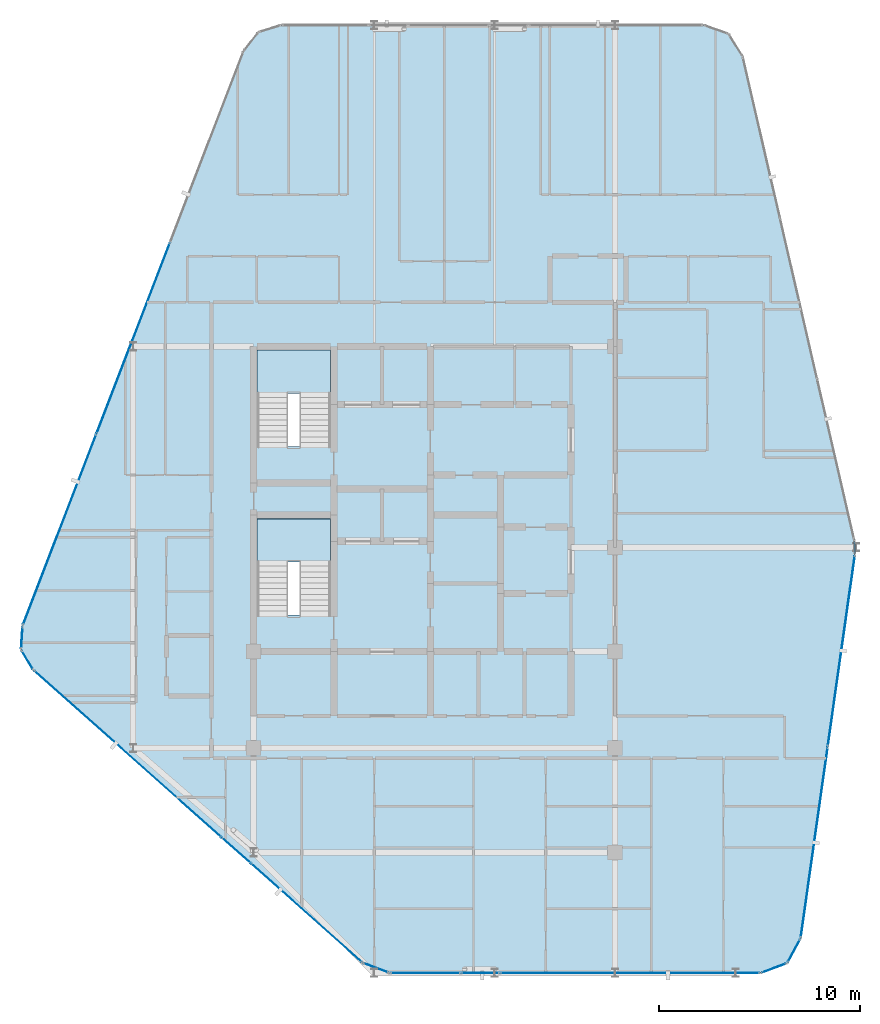
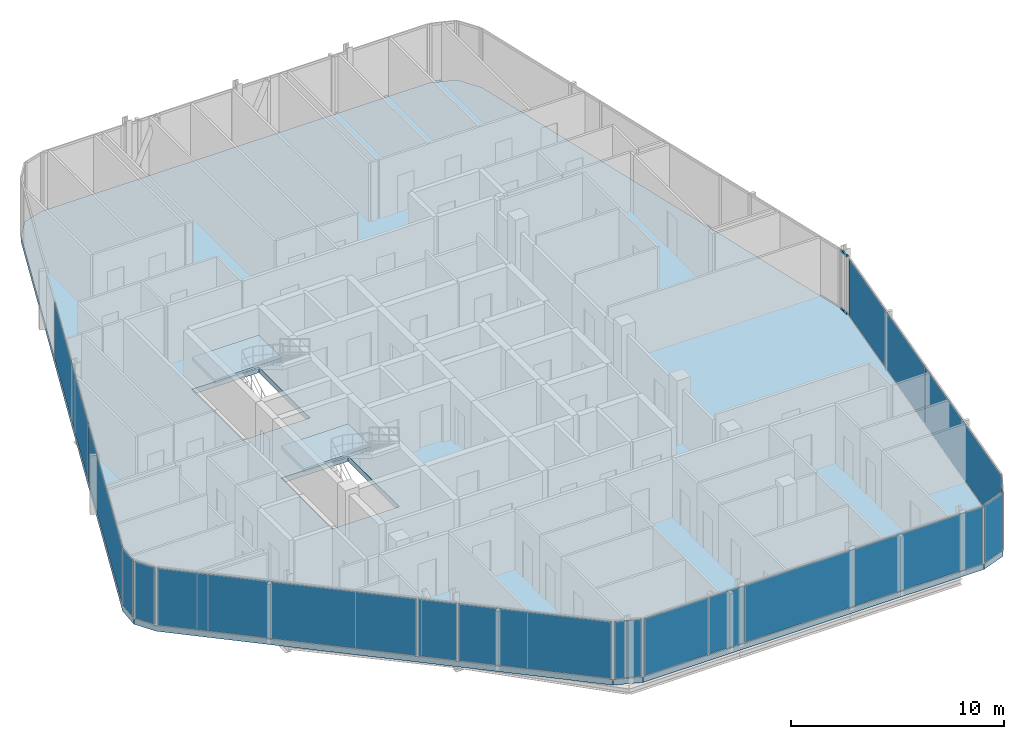
# One storey, part 20 of 28: 15 plates, 3 slabs, 2 members, 16 elements without a shape of their own.
"""IFC4 building model written with IfcOpenShell, lengths in metres."""

from ifc_helpers import new_model, si_unit, direction, frame, origin, origin_2d, place, context, subcontext, project, spatial, polyline, rectangle, hollow_rectangle, outline, extrude, material, layer, layer_set, material_profile, profile_set, type_object, element, aggregate, save


model = new_model("IFC4")

# Units and contexts
model_context = context("Model", 3, precision=1e-05, world=origin(), true_north=direction((0.0, 1.0)))
body_context = subcontext(model_context, "Body", "Model", "MODEL_VIEW")
ifc_project = project(units=[si_unit("LENGTHUNIT", "METRE"), si_unit("AREAUNIT", "SQUARE_METRE"), si_unit("VOLUMEUNIT", "CUBIC_METRE"), si_unit("PLANEANGLEUNIT", "RADIAN"), si_unit("MASSUNIT", "GRAM", prefix="KILO")], contexts=[model_context])

# Site, building, storey
site_placement = place(None, origin())
site = spatial("IfcSite", under=ifc_project, at=site_placement, CompositionType="ELEMENT")
building_placement = place(site_placement, origin())
building = spatial("IfcBuilding", under=site, at=building_placement, Name="Keshet Zoharim Tower", CompositionType="ELEMENT")
storey_placement = place(building_placement, frame((0.0, 0.0, 251.0)))
storey = spatial("IfcBuildingStorey", under=building, at=storey_placement, Name="L62", CompositionType="ELEMENT", Elevation=251.0)

# Curtain wall, members
ifc_material_1 = material(Name="Aluminium 6063-T6", Category="aluminium")
ifc_layer_1 = layer(ifc_material_1, 0.260009765625)
ifc_layer_set_1 = layer_set([ifc_layer_1], Name="Aluminium 6063-T6")
curtain_wall_type = type_object("IfcCurtainWallType", Name="CW-SYS-06", PredefinedType="NOTDEFINED", material=ifc_layer_set_1)
curtain_wall_1_placement = place(storey_placement, origin())
curtain_wall_1 = element("IfcCurtainWall", 1, at=curtain_wall_1_placement, inside=storey, type_object=curtain_wall_type, Name="L62 Unitised Curtain Wall 10", PredefinedType="NOTDEFINED")
ifc_material_profile = material_profile(ifc_material_1, hollow_rectangle(XDim=0.074951171875, YDim=0.1201171875, WallThickness=0.00390625, at=origin_2d()), Name="TRN-75x120")
ifc_profile_set = profile_set([ifc_material_profile], Name="Aluminium 6063-T6")
member_type = type_object("IfcMemberType", Name="CWT-T12", PredefinedType="USERDEFINED", material=ifc_profile_set)
member_1_placement = place(storey_placement, frame((44.9189453125, 28.192138671875, 0.034912109375), z_axis=(0.043813905352, -0.99903970977, 0.0), x_axis=(0.99903970977, 0.043813905352, 0.0)))
member_1 = element("IfcMember", 2, at=member_1_placement, type_object=member_type, Name="CW-06 transom 1.1", ObjectType="TRANSOM", PredefinedType="USERDEFINED", context=body_context, shape_type="SweptSolid", body=[
    extrude(hollow_rectangle(XDim=0.074951171875, YDim=0.1201171875, WallThickness=0.00390625, at=origin_2d()), origin(), (0.0, 0.0, 1.0), 0.590576171875),
])
member_2_placement = place(storey_placement, frame((44.9189453125, 28.192138671875, 3.35498046875), z_axis=(0.043813905352, -0.99903970977, 0.0), x_axis=(0.99903970977, 0.043813905352, 0.0)))
member_2 = element("IfcMember", 3, at=member_2_placement, type_object=member_type, Name="CW-06 transom 1.2", ObjectType="TRANSOM", PredefinedType="USERDEFINED", context=body_context, shape_type="SweptSolid", body=[
    extrude(hollow_rectangle(XDim=0.074951171875, YDim=0.1201171875, WallThickness=0.00390625, at=origin_2d()), origin(), (0.0, 0.0, 1.0), 0.590576171875),
])
aggregate(curtain_wall_1, [member_1, member_2])

# Curtain wall, plate
curtain_wall_2_placement = place(storey_placement, origin())
curtain_wall_2 = element("IfcCurtainWall", 4, at=curtain_wall_2_placement, inside=storey, type_object=curtain_wall_type, Name="L62 Unitised Curtain Wall 01", PredefinedType="NOTDEFINED")
ifc_material_2 = material(Name="Insulated Low-E Clear Glass", Category="glass")
ifc_layer_2 = layer(ifc_material_2, 0.028076171875)
ifc_layer_set_2 = layer_set([ifc_layer_2], Name="Insulated Low-E Clear Glass")
plate_type_1 = type_object("IfcPlateType", Name="CWP-03", PredefinedType="CURTAIN_PANEL", material=ifc_layer_set_2)
plate_1_placement = place(storey_placement, frame((3.7275390625, 22.291015625, 0.070068359375), z_axis=(0.0, 0.0, 1.0), x_axis=(-0.515604947933, 0.856826433805, 0.0)))
plate_1 = element("IfcPlate", 5, at=plate_1_placement, type_object=plate_type_1, Name="CW-06 panel 1.1", PredefinedType="CURTAIN_PANEL", context=body_context, shape_type="SweptSolid", body=[
    extrude(rectangle(XDim=1.052734375, YDim=0.028076171875, at=origin_2d()), origin(), (0.0, 0.0, 1.0), 3.25),
])
aggregate(curtain_wall_2, [plate_1])

curtain_wall_3_placement = place(storey_placement, origin())
curtain_wall_3 = element("IfcCurtainWall", 6, at=curtain_wall_3_placement, inside=storey, type_object=curtain_wall_type, Name="L62 Unitised Curtain Wall 02", PredefinedType="NOTDEFINED")
plate_2_placement = place(storey_placement, frame((3.45849609375, 23.3974609375, 0.070068359375), z_axis=(0.0, 0.0, 1.0), x_axis=(0.064516859374, 0.997916617186, 0.0)))
plate_2 = element("IfcPlate", 7, at=plate_2_placement, type_object=plate_type_1, Name="CW-06 panel 1.1", PredefinedType="CURTAIN_PANEL", context=body_context, shape_type="SweptSolid", body=[
    extrude(rectangle(XDim=1.053466796875, YDim=0.028076171875, at=origin_2d()), origin(), (0.0, 0.0, 1.0), 3.25),
])
aggregate(curtain_wall_3, [plate_2])

# Curtain wall, plates
curtain_wall_4_placement = place(storey_placement, origin())
curtain_wall_4 = element("IfcCurtainWall", 8, at=curtain_wall_4_placement, inside=storey, type_object=curtain_wall_type, Name="L62 Unitised Curtain Wall 03", PredefinedType="NOTDEFINED")
plate_3_placement = place(storey_placement, frame((5.33837890625, 28.7802734375, 0.070068359375), z_axis=(0.0, 0.0, 1.0), x_axis=(0.358990003907, 0.933341404361, 0.0)))
plate_3 = element("IfcPlate", 9, at=plate_3_placement, type_object=plate_type_1, Name="CW-06 panel 1.1", PredefinedType="CURTAIN_PANEL", context=body_context, shape_type="SweptSolid", body=[
    extrude(rectangle(XDim=10.1181640625, YDim=0.028076171875, at=origin_2d()), origin(), (0.0, 0.0, 1.0), 3.25),
])
plate_4_placement = place(storey_placement, frame((9.001953125, 38.305419921875, 0.070068359375), z_axis=(0.0, 0.0, 1.0), x_axis=(0.358990003907, 0.933341404361, 0.0)))
plate_4 = element("IfcPlate", 10, at=plate_4_placement, type_object=plate_type_1, Name="CW-06 panel 2.1", PredefinedType="CURTAIN_PANEL", context=body_context, shape_type="SweptSolid", body=[
    extrude(rectangle(XDim=10.153076171875, YDim=0.028076171875, at=origin_2d()), origin(), (0.0, 0.0, 1.0), 3.25),
])
aggregate(curtain_wall_4, [plate_3, plate_4])

curtain_wall_5_placement = place(storey_placement, origin())
curtain_wall_5 = element("IfcCurtainWall", 11, at=curtain_wall_5_placement, inside=storey, type_object=curtain_wall_type, Name="L62 Unitised Curtain Wall 11", PredefinedType="NOTDEFINED")
plate_5_placement = place(storey_placement, frame((44.269287109375, 22.736572265625, 0.070068359375), z_axis=(0.0, 0.0, 1.0), x_axis=(-0.140137464177, -0.990132057422, 0.0)))
plate_5 = element("IfcPlate", 12, at=plate_5_placement, type_object=plate_type_1, Name="CW-06 panel 1.1", PredefinedType="CURTAIN_PANEL", context=body_context, shape_type="SweptSolid", body=[
    extrude(rectangle(XDim=9.546142578125, YDim=0.028076171875, at=origin_2d()), origin(), (0.0, 0.0, 1.0), 3.25),
])
plate_6_placement = place(storey_placement, frame((42.921630859375, 13.21533203125, 0.070068359375), z_axis=(0.0, 0.0, 1.0), x_axis=(-0.140137464177, -0.990132057422, 0.0)))
plate_6 = element("IfcPlate", 13, at=plate_6_placement, type_object=plate_type_1, Name="CW-06 panel 2.1", PredefinedType="CURTAIN_PANEL", context=body_context, shape_type="SweptSolid", body=[
    extrude(rectangle(XDim=9.546142578125, YDim=0.028076171875, at=origin_2d()), origin(), (0.0, 0.0, 1.0), 3.25),
])
aggregate(curtain_wall_5, [plate_5, plate_6])

# Curtain wall, plate
curtain_wall_6_placement = place(storey_placement, origin())
curtain_wall_6 = element("IfcCurtainWall", 14, at=curtain_wall_6_placement, inside=storey, type_object=curtain_wall_type, Name="L62 Unitised Curtain Wall 12", PredefinedType="NOTDEFINED")
plate_7_placement = place(storey_placement, frame((41.908447265625, 7.804931640625, 0.070068359375), z_axis=(0.0, 0.0, 1.0), x_axis=(-0.477800955789, -0.878468125004, 0.0)))
plate_7 = element("IfcPlate", 15, at=plate_7_placement, type_object=plate_type_1, Name="CW-06 panel 1.1", PredefinedType="CURTAIN_PANEL", context=body_context, shape_type="SweptSolid", body=[
    extrude(rectangle(XDim=1.26025390625, YDim=0.028076171875, at=origin_2d()), origin(), (0.0, 0.0, 1.0), 3.25),
])
aggregate(curtain_wall_6, [plate_7])

curtain_wall_7_placement = place(storey_placement, origin())
curtain_wall_7 = element("IfcCurtainWall", 16, at=curtain_wall_7_placement, inside=storey, type_object=curtain_wall_type, Name="L62 Unitised Curtain Wall 13", PredefinedType="NOTDEFINED")
plate_8_placement = place(storey_placement, frame((40.91845703125, 6.945068359375, 0.070068359375), z_axis=(0.0, 0.0, 1.0), x_axis=(-0.936710343781, -0.350105315376, 0.0)))
plate_8 = element("IfcPlate", 17, at=plate_8_placement, type_object=plate_type_1, Name="CW-06 panel 1.1", PredefinedType="CURTAIN_PANEL", context=body_context, shape_type="SweptSolid", body=[
    extrude(rectangle(XDim=1.259521484375, YDim=0.028076171875, at=origin_2d()), origin(), (0.0, 0.0, 1.0), 3.25),
])
aggregate(curtain_wall_7, [plate_8])

curtain_wall_8_placement = place(storey_placement, origin())
curtain_wall_8 = element("IfcCurtainWall", 18, at=curtain_wall_8_placement, inside=storey, type_object=curtain_wall_type, Name="L62 Unitised Curtain Wall 14", PredefinedType="NOTDEFINED")
plate_9_placement = place(storey_placement, frame((33.743896484375, 6.699951171875, 0.070068359375), z_axis=(0.0, 0.0, 1.0), x_axis=(-1.0, 0.0, 0.0)))
plate_9 = element("IfcPlate", 19, at=plate_9_placement, type_object=plate_type_1, Name="CW-06 panel 1.1", PredefinedType="CURTAIN_PANEL", context=body_context, shape_type="SweptSolid", body=[
    extrude(rectangle(XDim=12.898193359375, YDim=0.028076171875, at=origin_2d()), origin(), (0.0, 0.0, 1.0), 3.25),
])
aggregate(curtain_wall_8, [plate_9])

curtain_wall_9_placement = place(storey_placement, origin())
curtain_wall_9 = element("IfcCurtainWall", 20, at=curtain_wall_9_placement, inside=storey, type_object=curtain_wall_type, Name="L62 Unitised Curtain Wall 14 Part 3", PredefinedType="NOTDEFINED")
plate_10_placement = place(storey_placement, frame((23.552490234375, 6.699951171875, 0.070068359375), z_axis=(0.0, 0.0, 1.0), x_axis=(-1.0, 0.0, 0.0)))
plate_10 = element("IfcPlate", 21, at=plate_10_placement, type_object=plate_type_1, Name="CW-06 panel 1.1", PredefinedType="CURTAIN_PANEL", context=body_context, shape_type="SweptSolid", body=[
    extrude(rectangle(XDim=3.4453125, YDim=0.028076171875, at=origin_2d()), origin(), (0.0, 0.0, 1.0), 3.25),
])
aggregate(curtain_wall_9, [plate_10])

curtain_wall_10_placement = place(storey_placement, origin())
curtain_wall_10 = element("IfcCurtainWall", 22, at=curtain_wall_10_placement, inside=storey, type_object=curtain_wall_type, Name="L62 Unitised Curtain Wall 15", PredefinedType="NOTDEFINED")
plate_11_placement = place(storey_placement, frame((21.095947265625, 6.952392578125, 0.070068359375), z_axis=(0.0, 0.0, 1.0), x_axis=(-0.934699418314, 0.355439161326, 0.0)))
plate_11 = element("IfcPlate", 23, at=plate_11_placement, type_object=plate_type_1, Name="CW-06 panel 1.1", PredefinedType="CURTAIN_PANEL", context=body_context, shape_type="SweptSolid", body=[
    extrude(rectangle(XDim=1.28076171875, YDim=0.028076171875, at=origin_2d()), origin(), (0.0, 0.0, 1.0), 3.25),
])
aggregate(curtain_wall_10, [plate_11])

curtain_wall_11_placement = place(storey_placement, origin())
curtain_wall_11 = element("IfcCurtainWall", 24, at=curtain_wall_11_placement, inside=storey, type_object=curtain_wall_type, Name="L62 Unitised Curtain Wall 16", PredefinedType="NOTDEFINED")
plate_12_placement = place(storey_placement, frame((17.634521484375, 9.691650390625, 0.070068359375), z_axis=(0.0, 0.0, 1.0), x_axis=(-0.747410792699, 0.664362180559, 0.0)))
plate_12 = element("IfcPlate", 25, at=plate_12_placement, type_object=plate_type_1, Name="CW-06 panel 1.1", PredefinedType="CURTAIN_PANEL", context=body_context, shape_type="SweptSolid", body=[
    extrude(rectangle(XDim=7.345947265625, YDim=0.028076171875, at=origin_2d()), origin(), (0.0, 0.0, 1.0), 3.25),
])
aggregate(curtain_wall_11, [plate_12])

curtain_wall_12_placement = place(storey_placement, origin())
curtain_wall_12 = element("IfcCurtainWall", 26, at=curtain_wall_12_placement, inside=storey, type_object=curtain_wall_type, Name="L62 Unitised Curtain Wall 16 Part 3", PredefinedType="NOTDEFINED")
plate_13_placement = place(storey_placement, frame((8.7333984375, 17.603515625, 0.070068359375), z_axis=(0.0, 0.0, 1.0), x_axis=(-0.747409318679, 0.664363838836, 0.0)))
plate_13 = element("IfcPlate", 27, at=plate_13_placement, type_object=plate_type_1, Name="CW-06 panel 1.1", PredefinedType="CURTAIN_PANEL", context=body_context, shape_type="SweptSolid", body=[
    extrude(rectangle(XDim=12.432861328125, YDim=0.028076171875, at=origin_2d()), origin(), (0.0, 0.0, 1.0), 3.25),
])
aggregate(curtain_wall_12, [plate_13])

curtain_wall_13_placement = place(storey_placement, origin())
curtain_wall_13 = element("IfcCurtainWall", 28, at=curtain_wall_13_placement, inside=storey, type_object=curtain_wall_type, Name="L62 Unitised Curtain Wall 14 Part 2", PredefinedType="NOTDEFINED")
ifc_material_3 = material(Name="Insulated Aluminium Spandrel Panel", Category="aluminium")
ifc_layer_3 = layer(ifc_material_3, 0.028076171875)
ifc_layer_set_3 = layer_set([ifc_layer_3], Name="Insulated Aluminium Spandrel Panel")
plate_type_2 = type_object("IfcPlateType", Name="CWP-06", PredefinedType="CURTAIN_PANEL", material=ifc_layer_set_3)
plate_14_placement = place(storey_placement, frame((26.284912109375, 6.699951171875, 0.070068359375), z_axis=(0.0, 0.0, 1.0), x_axis=(-1.0, 0.0, 0.0)))
plate_14 = element("IfcPlate", 29, at=plate_14_placement, type_object=plate_type_2, Name="CW-06 spandrel panel 1.1", PredefinedType="CURTAIN_PANEL", context=body_context, shape_type="SweptSolid", body=[
    extrude(rectangle(XDim=1.879638671875, YDim=0.028076171875, at=origin_2d()), origin(), (0.0, 0.0, 1.0), 3.25),
])
aggregate(curtain_wall_13, [plate_14])

curtain_wall_14_placement = place(storey_placement, origin())
curtain_wall_14 = element("IfcCurtainWall", 30, at=curtain_wall_14_placement, inside=storey, type_object=curtain_wall_type, Name="L62 Unitised Curtain Wall 16 Part 2", PredefinedType="NOTDEFINED")
plate_15_placement = place(storey_placement, frame((14.134521484375, 12.802734375, 0.070068359375), z_axis=(0.0, 0.0, 1.0), x_axis=(-0.747431957629, 0.664338369143, 0.0)))
plate_15 = element("IfcPlate", 31, at=plate_15_placement, type_object=plate_type_2, Name="CW-06 spandrel panel 1.1", PredefinedType="CURTAIN_PANEL", context=body_context, shape_type="SweptSolid", body=[
    extrude(rectangle(XDim=1.879638671875, YDim=0.028076171875, at=origin_2d()), origin(), (0.0, 0.0, 1.0), 3.25),
])
aggregate(curtain_wall_14, [plate_15])

# Stair, slab
ifc_material_4 = material(Name="Concrete C50/60", Category="concrete")
stair_type = type_object("IfcStairType", Name="STR-EXIT-135", PredefinedType="HALF_TURN_STAIR", material=ifc_material_4)
stair_1_placement = place(storey_placement, origin())
stair_1 = element("IfcStair", 32, at=stair_1_placement, inside=storey, type_object=stair_type, Name="L62 Enclosed Exit Stair ST-01", PredefinedType="HALF_TURN_STAIR")
ifc_layer_4 = layer(ifc_material_4, 0.199951171875)
ifc_layer_set_4 = layer_set([ifc_layer_4], Name="Concrete C50/60")
slab_type_1 = type_object("IfcSlabType", Name="SLB-LND-200", PredefinedType="LANDING", material=ifc_layer_set_4)
slab_1_placement = place(storey_placement, frame((0.0, 0.0, 1.64990234375)))
slab_1 = element("IfcSlab", 33, at=slab_1_placement, type_object=slab_type_1, Name="ST-01 landing 1", PredefinedType="LANDING", context=body_context, shape_type="SweptSolid", body=[
    extrude(outline(polyline([(15.179931640625, 27.159912109375), (18.820068359375, 27.159912109375), (18.820068359375, 29.320068359375), (15.179931640625, 29.320068359375), (15.179931640625, 27.159912109375)])), origin(), (0.0, 0.0, 1.0), 0.2001953125),
])
aggregate(stair_1, [slab_1])

stair_2_placement = place(storey_placement, origin())
stair_2 = element("IfcStair", 34, at=stair_2_placement, inside=storey, type_object=stair_type, Name="L62 Enclosed Exit Stair ST-02", PredefinedType="HALF_TURN_STAIR")
slab_2_placement = place(storey_placement, frame((0.0, 0.0, 1.64990234375)))
slab_2 = element("IfcSlab", 35, at=slab_2_placement, type_object=slab_type_1, Name="ST-02 landing 1", PredefinedType="LANDING", context=body_context, shape_type="SweptSolid", body=[
    extrude(outline(polyline([(15.179931640625, 35.56005859375), (18.820068359375, 35.56005859375), (18.820068359375, 37.719970703125), (15.179931640625, 37.719970703125), (15.179931640625, 35.56005859375)])), origin(), (0.0, 0.0, 1.0), 0.2001953125),
])
aggregate(stair_2, [slab_2])

# Slab
ifc_layer_5 = layer(ifc_material_4, 0.31005859375)
ifc_layer_set_5 = layer_set([ifc_layer_5], Name="Concrete C50/60")
slab_type_2 = type_object("IfcSlabType", Name="SLB-UPP-240", PredefinedType="FLOOR", material=ifc_layer_set_5)
slab_3_placement = place(storey_placement, frame((0.0, 0.0, -0.31005859375)))
element("IfcSlab", 36, at=slab_3_placement, inside=storey, type_object=slab_type_2, Name="L62 Structural Floor Slab 1", PredefinedType="FLOOR", context=body_context, shape_type="SweptSolid", body=[
    extrude(outline(polyline([(4.034912109375, 21.780029296875), (3.419921875, 22.802001953125), (3.4970703125, 23.992919921875), (14.507080078125, 52.617919921875), (15.240966796875, 53.549072265625), (16.3740234375, 53.89990234375), (37.408935546875, 53.89990234375), (38.654052734375, 53.465087890625), (39.35791015625, 52.35009765625), (44.916015625, 28.261962890625), (44.947998046875, 27.531982421875), (42.242919921875, 8.419921875), (41.573974609375, 7.18994140625), (40.262939453125, 6.699951171875), (21.760009765625, 6.699951171875), (20.431884765625, 7.205078125), (4.034912109375, 21.780029296875)]), holes=[polyline([(15.179931640625, 24.52001953125), (18.820068359375, 24.52001953125), (18.820068359375, 29.320068359375), (15.179931640625, 29.320068359375), (15.179931640625, 24.52001953125)]), polyline([(15.179931640625, 32.919921875), (18.820068359375, 32.919921875), (18.820068359375, 37.719970703125), (15.179931640625, 37.719970703125), (15.179931640625, 32.919921875)])]), origin(), (0.0, 0.0, 1.0), 0.31005859375),
])

save(model, "model.ifc")
